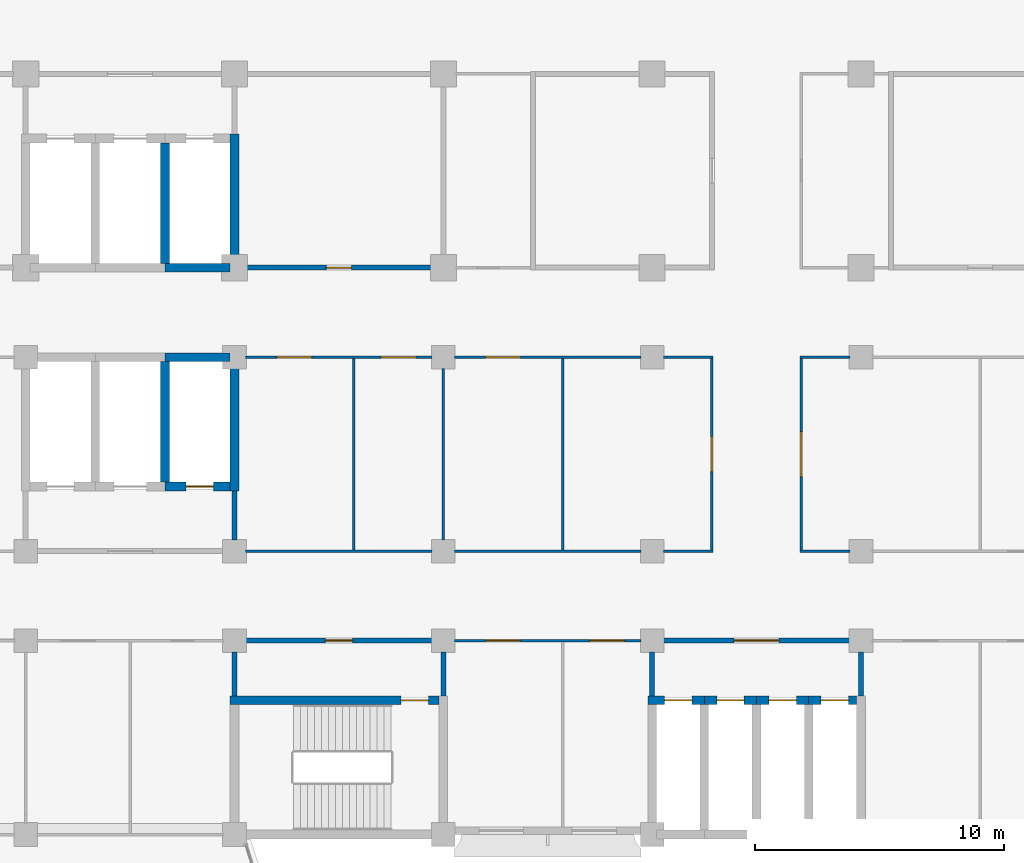
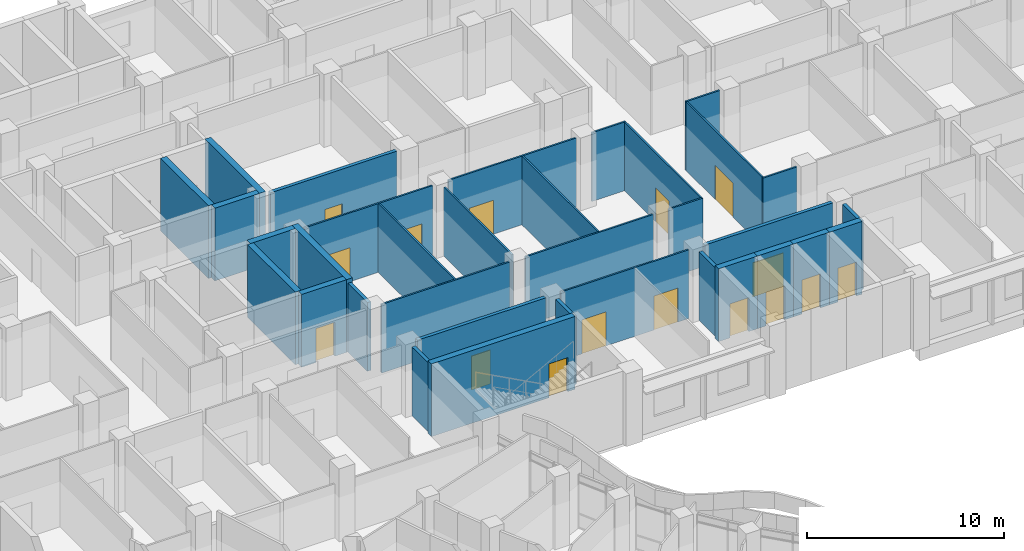
# One storey, part 72 of 136: 34 walls, 16 doors, 16 openings.
"""IFC4 building model written with IfcOpenShell, lengths in metres."""

from ifc_helpers import new_model, si_unit, direction, frame, frame_2d, origin, place, context, subcontext, project, spatial, rectangle, extrude, material, layer, layer_set, type_object, element, fill, save


model = new_model("IFC4")

# Units and contexts
model_context = context("Model", 3, precision=1e-05, world=origin(), true_north=direction((0.0, 1.0)))
body_context = subcontext(model_context, "Body", "Model", "MODEL_VIEW")
ifc_project = project(units=[si_unit("LENGTHUNIT", "METRE"), si_unit("AREAUNIT", "SQUARE_METRE"), si_unit("VOLUMEUNIT", "CUBIC_METRE"), si_unit("PLANEANGLEUNIT", "RADIAN"), si_unit("MASSUNIT", "GRAM", prefix="KILO")], contexts=[model_context])

# Site, building, storey
site_placement = place(None, origin())
site = spatial("IfcSite", under=ifc_project, at=site_placement, CompositionType="ELEMENT")
building_placement = place(site_placement, origin())
building = spatial("IfcBuilding", under=site, at=building_placement, Name="Bougainvillea Quay General Hospital", CompositionType="ELEMENT")
storey_placement = place(building_placement, frame((0.0, 0.0, 5.39990234375)))
storey = spatial("IfcBuildingStorey", under=building, at=storey_placement, Name="L01", CompositionType="ELEMENT", Elevation=5.39990234375)

# Wall
ifc_material_1 = material(Name="Gypsum board partition on steel studs", Category="steel")
ifc_layer_1 = layer(ifc_material_1, 0.10009765625)
ifc_layer_set_1 = layer_set([ifc_layer_1], Name="Gypsum board partition on steel studs")
wall_type_1 = type_object("IfcWallType", Name="Partition 100 Gypsum board partition", PredefinedType="PARTITIONING", material=ifc_layer_set_1)
wall_1_placement = place(storey_placement, frame((94.85009765625, 136.800048828125, 0.0), z_axis=(0.0, 0.0, 1.0), x_axis=(-1.0, 0.0, 0.0)))
element("IfcWall", 1, at=wall_1_placement, inside=storey, type_object=wall_type_1, Name="Partition 100 mm", PredefinedType="PARTITIONING", context=body_context, shape_type="SweptSolid", body=[
    extrude(rectangle(XDim=2.0, YDim=0.10009765625, at=frame_2d((1.0, 0.0))), origin(), (0.0, 0.0, 1.0), 4.25),
])

# Wall, opening, door
wall_2_placement = place(storey_placement, frame((91.949951171875, 136.800048828125, 0.0), z_axis=(0.0, 0.0, 1.0), x_axis=(-1.0, 0.0, 0.0)))
wall_2 = element("IfcWall", 2, at=wall_2_placement, inside=storey, type_object=wall_type_1, Name="Partition 100 mm", PredefinedType="PARTITIONING", context=body_context, shape_type="SweptSolid", body=[
    extrude(rectangle(XDim=7.5, YDim=0.10009765625, at=frame_2d((3.75, 0.0))), origin(), (0.0, 0.0, 1.0), 4.25),
])
opening_1_placement = place(wall_2_placement, frame((4.85009765625, 0.0, 0.0)))
opening_1 = element("IfcOpeningElement", 3, at=opening_1_placement, cuts=wall_2, Name="Opening L01.149", PredefinedType="OPENING", context=body_context, shape_type="SweptSolid", body=[
    extrude(rectangle(XDim=1.39990234375, YDim=2.10009765625, at=frame_2d((0.699951171875, 1.050048828125))), frame((0.0, 0.06005859375, 0.0), z_axis=(0.0, -1.0, 0.0), x_axis=(1.0, 0.0, 0.0)), (0.0, 0.0, 1.0), 0.1201171875),
])
ifc_material_2 = material(Name="Solid-core timber door leaves in steel frame", Category="steel")
door_type_1 = type_object("IfcDoorType", Name="Bed door pair 1400x2100", OperationType="DOUBLE_DOOR_SINGLE_SWING", PredefinedType="DOOR", material=ifc_material_2)
door_1_placement = place(opening_1_placement, origin())
door_1 = element("IfcDoor", 4, at=door_1_placement, inside=storey, type_object=door_type_1, Name="DT09 L01.149", OperationType="DOUBLE_DOOR_SINGLE_SWING", OverallHeight=2.10009765625, OverallWidth=1.39990234375, PredefinedType="DOOR", context=body_context, shape_type="SweptSolid", body=[
    extrude(rectangle(XDim=1.39990234375, YDim=2.10009765625, at=frame_2d((0.699951171875, 1.050048828125))), frame((0.0, 0.02490234375, 0.0), z_axis=(0.0, -1.0, 0.0), x_axis=(1.0, 0.0, 0.0)), (0.0, 0.0, 1.0), 0.050048828125),
])
fill(opening_1, door_1)

# Wall, openings, doors
wall_3_placement = place(storey_placement, frame((83.550048828125, 136.800048828125, 0.0), z_axis=(0.0, 0.0, 1.0), x_axis=(-1.0, 0.0, 0.0)))
wall_3 = element("IfcWall", 5, at=wall_3_placement, inside=storey, type_object=wall_type_1, Name="Partition 100 mm", PredefinedType="PARTITIONING", context=body_context, shape_type="SweptSolid", body=[
    extrude(rectangle(XDim=7.5, YDim=0.10009765625, at=frame_2d((3.75, 0.0))), origin(), (0.0, 0.0, 1.0), 4.25),
])
opening_2_placement = place(wall_3_placement, frame((4.85009765625, 0.0, 0.0)))
opening_2 = element("IfcOpeningElement", 6, at=opening_2_placement, cuts=wall_3, Name="Opening L01.147", PredefinedType="OPENING", context=body_context, shape_type="SweptSolid", body=[
    extrude(rectangle(XDim=1.39990234375, YDim=2.10009765625, at=frame_2d((0.699951171875, 1.050048828125))), frame((0.0, 0.06005859375, 0.0), z_axis=(0.0, -1.0, 0.0), x_axis=(1.0, 0.0, 0.0)), (0.0, 0.0, 1.0), 0.1201171875),
])
opening_3_placement = place(wall_3_placement, frame((0.64990234375, 0.0, 0.0)))
opening_3 = element("IfcOpeningElement", 7, at=opening_3_placement, cuts=wall_3, Name="Opening L01.148", PredefinedType="OPENING", context=body_context, shape_type="SweptSolid", body=[
    extrude(rectangle(XDim=1.39990234375, YDim=2.10009765625, at=frame_2d((0.699951171875, 1.050048828125))), frame((0.0, 0.06005859375, 0.0), z_axis=(0.0, -1.0, 0.0), x_axis=(1.0, 0.0, 0.0)), (0.0, 0.0, 1.0), 0.1201171875),
])
door_2_placement = place(opening_2_placement, origin())
door_2 = element("IfcDoor", 8, at=door_2_placement, inside=storey, type_object=door_type_1, Name="DT09 L01.147", OperationType="DOUBLE_DOOR_SINGLE_SWING", OverallHeight=2.10009765625, OverallWidth=1.39990234375, PredefinedType="DOOR", context=body_context, shape_type="SweptSolid", body=[
    extrude(rectangle(XDim=1.39990234375, YDim=2.10009765625, at=frame_2d((0.699951171875, 1.050048828125))), frame((0.0, 0.02490234375, 0.0), z_axis=(0.0, -1.0, 0.0), x_axis=(1.0, 0.0, 0.0)), (0.0, 0.0, 1.0), 0.050048828125),
])
fill(opening_2, door_2)
door_3_placement = place(opening_3_placement, origin())
door_3 = element("IfcDoor", 9, at=door_3_placement, inside=storey, type_object=door_type_1, Name="DT09 L01.148", OperationType="DOUBLE_DOOR_SINGLE_SWING", OverallHeight=2.10009765625, OverallWidth=1.39990234375, PredefinedType="DOOR", context=body_context, shape_type="SweptSolid", body=[
    extrude(rectangle(XDim=1.39990234375, YDim=2.10009765625, at=frame_2d((0.699951171875, 1.050048828125))), frame((0.0, 0.02490234375, 0.0), z_axis=(0.0, -1.0, 0.0), x_axis=(1.0, 0.0, 0.0)), (0.0, 0.0, 1.0), 0.050048828125),
])
fill(opening_3, door_3)

# Walls
for number, where, z_axis, x_axis, name in (
    (10, (100.35009765625, 129.0, 0.0), (0.0, 0.0, 1.0), (-1.0, 0.0, 0.0), "Partition 100 mm"),
    (11, (100.35009765625, 136.800048828125, 0.0), (0.0, 0.0, 1.0), (-1.0, 0.0, 0.0), "Partition 100 mm"),
    (12, (94.85009765625, 129.0, 0.0), (0.0, 0.0, 1.0), (-1.0, 0.0, 0.0), "Partition 100 mm"),
):
    element("IfcWall", number, at=place(storey_placement, frame(where, z_axis=z_axis, x_axis=x_axis)), inside=storey, type_object=wall_type_1, Name=name, PredefinedType="PARTITIONING", context=body_context, shape_type="SweptSolid", body=[
        extrude(rectangle(XDim=2.0, YDim=0.10009765625, at=frame_2d((1.0, 0.0))), origin(), (0.0, 0.0, 1.0), 4.25),
    ])
for number, where, z_axis, x_axis, name in (
    (13, (91.949951171875, 129.0, 0.0), (0.0, 0.0, 1.0), (-1.0, 0.0, 0.0), "Partition 100 mm"),
    (14, (83.550048828125, 129.0, 0.0), (0.0, 0.0, 1.0), (-1.0, 0.0, 0.0), "Partition 100 mm"),
):
    element("IfcWall", number, at=place(storey_placement, frame(where, z_axis=z_axis, x_axis=x_axis)), inside=storey, type_object=wall_type_1, Name=name, PredefinedType="PARTITIONING", context=body_context, shape_type="SweptSolid", body=[
        extrude(rectangle(XDim=7.5, YDim=0.10009765625, at=frame_2d((3.75, 0.0))), origin(), (0.0, 0.0, 1.0), 4.25),
    ])

# Wall, openings, doors
wall_4_placement = place(storey_placement, frame((91.949951171875, 125.39990234375, 0.0), z_axis=(0.0, 0.0, 1.0), x_axis=(-1.0, 0.0, 0.0)))
wall_4 = element("IfcWall", 15, at=wall_4_placement, inside=storey, type_object=wall_type_1, Name="Partition 100 mm", PredefinedType="PARTITIONING", context=body_context, shape_type="SweptSolid", body=[
    extrude(rectangle(XDim=7.5, YDim=0.10009765625, at=frame_2d((3.75, 0.0))), origin(), (0.0, 0.0, 1.0), 4.25),
])
opening_4_placement = place(wall_4_placement, frame((4.85107421875, 0.0, 0.0)))
opening_4 = element("IfcOpeningElement", 16, at=opening_4_placement, cuts=wall_4, Name="Opening L01.141", PredefinedType="OPENING", context=body_context, shape_type="SweptSolid", body=[
    extrude(rectangle(XDim=1.39990234375, YDim=2.10009765625, at=frame_2d((0.699951171875, 1.050048828125))), frame((0.0, 0.06005859375, 0.0), z_axis=(0.0, -1.0, 0.0), x_axis=(1.0, 0.0, 0.0)), (0.0, 0.0, 1.0), 0.1201171875),
])
opening_5_placement = place(wall_4_placement, frame((0.652099609375, 0.0, 0.0)))
opening_5 = element("IfcOpeningElement", 17, at=opening_5_placement, cuts=wall_4, Name="Opening L01.142", PredefinedType="OPENING", context=body_context, shape_type="SweptSolid", body=[
    extrude(rectangle(XDim=1.39990234375, YDim=2.10009765625, at=frame_2d((0.699951171875, 1.050048828125))), frame((0.0, 0.06005859375, 0.0), z_axis=(0.0, -1.0, 0.0), x_axis=(1.0, 0.0, 0.0)), (0.0, 0.0, 1.0), 0.1201171875),
])
door_4_placement = place(opening_4_placement, origin())
door_4 = element("IfcDoor", 18, at=door_4_placement, inside=storey, type_object=door_type_1, Name="DT09 L01.141", OperationType="DOUBLE_DOOR_SINGLE_SWING", OverallHeight=2.10009765625, OverallWidth=1.39990234375, PredefinedType="DOOR", context=body_context, shape_type="SweptSolid", body=[
    extrude(rectangle(XDim=1.39990234375, YDim=2.10009765625, at=frame_2d((0.699951171875, 1.050048828125))), frame((0.0, 0.02490234375, 0.0), z_axis=(0.0, -1.0, 0.0), x_axis=(1.0, 0.0, 0.0)), (0.0, 0.0, 1.0), 0.050048828125),
])
fill(opening_4, door_4)
door_5_placement = place(opening_5_placement, origin())
door_5 = element("IfcDoor", 19, at=door_5_placement, inside=storey, type_object=door_type_1, Name="DT09 L01.142", OperationType="DOUBLE_DOOR_SINGLE_SWING", OverallHeight=2.10009765625, OverallWidth=1.39990234375, PredefinedType="DOOR", context=body_context, shape_type="SweptSolid", body=[
    extrude(rectangle(XDim=1.39990234375, YDim=2.10009765625, at=frame_2d((0.699951171875, 1.050048828125))), frame((0.0, 0.02490234375, 0.0), z_axis=(0.0, -1.0, 0.0), x_axis=(1.0, 0.0, 0.0)), (0.0, 0.0, 1.0), 0.050048828125),
])
fill(opening_5, door_5)

# Walls
wall_5_placement = place(storey_placement, frame((80.39990234375, 129.050048828125, 0.0), z_axis=(0.0, 0.0, 1.0), x_axis=(0.0, 1.0, 0.0)))
element("IfcWall", 20, at=wall_5_placement, inside=storey, type_object=wall_type_1, Name="Partition 100 mm", PredefinedType="PARTITIONING", context=body_context, shape_type="SweptSolid", body=[
    extrude(rectangle(XDim=7.699951171875, YDim=0.10009765625, at=frame_2d((3.85009765625, 0.0))), origin(), (0.0, 0.0, 1.0), 4.25),
])
wall_6_placement = place(storey_placement, frame((84.0, 129.449951171875, 0.0), z_axis=(0.0, 0.0, 1.0), x_axis=(0.0, 1.0, 0.0)))
element("IfcWall", 21, at=wall_6_placement, inside=storey, type_object=wall_type_1, Name="Partition 100 mm", PredefinedType="PARTITIONING", context=body_context, shape_type="SweptSolid", body=[
    extrude(rectangle(XDim=6.900146484375, YDim=0.10009765625, at=frame_2d((3.4501953125, 0.0))), origin(), (0.0, 0.0, 1.0), 4.25),
])
wall_7_placement = place(storey_placement, frame((88.800048828125, 129.050048828125, 0.0), z_axis=(0.0, 0.0, 1.0), x_axis=(0.0, 1.0, 0.0)))
element("IfcWall", 22, at=wall_7_placement, inside=storey, type_object=wall_type_1, Name="Partition 100 mm", PredefinedType="PARTITIONING", context=body_context, shape_type="SweptSolid", body=[
    extrude(rectangle(XDim=7.699951171875, YDim=0.10009765625, at=frame_2d((3.85009765625, 0.0))), origin(), (0.0, 0.0, 1.0), 4.25),
])

# Wall, opening, door
wall_8_placement = place(storey_placement, frame((94.800048828125, 129.050048828125, 0.0), z_axis=(0.0, 0.0, 1.0), x_axis=(0.0, 1.0, 0.0)))
wall_8 = element("IfcWall", 23, at=wall_8_placement, inside=storey, type_object=wall_type_1, Name="Partition 100 mm", PredefinedType="PARTITIONING", context=body_context, shape_type="SweptSolid", body=[
    extrude(rectangle(XDim=7.699951171875, YDim=0.10009765625, at=frame_2d((3.85009765625, 0.0))), origin(), (0.0, 0.0, 1.0), 4.25),
])
opening_6_placement = place(wall_8_placement, frame((3.14990234375, 0.0, 0.0)))
opening_6 = element("IfcOpeningElement", 24, at=opening_6_placement, cuts=wall_8, Name="Opening L01.150", PredefinedType="OPENING", context=body_context, shape_type="SweptSolid", body=[
    extrude(rectangle(XDim=1.39990234375, YDim=2.10009765625, at=frame_2d((0.699951171875, 1.050048828125))), frame((0.0, 0.06005859375, 0.0), z_axis=(0.0, -1.0, 0.0), x_axis=(1.0, 0.0, 0.0)), (0.0, 0.0, 1.0), 0.1201171875),
])
door_6_placement = place(opening_6_placement, origin())
door_6 = element("IfcDoor", 25, at=door_6_placement, inside=storey, type_object=door_type_1, Name="DT09 L01.150", OperationType="DOUBLE_DOOR_SINGLE_SWING", OverallHeight=2.10009765625, OverallWidth=1.39990234375, PredefinedType="DOOR", context=body_context, shape_type="SweptSolid", body=[
    extrude(rectangle(XDim=1.39990234375, YDim=2.10009765625, at=frame_2d((0.699951171875, 1.050048828125))), frame((0.0, 0.02490234375, 0.0), z_axis=(0.0, -1.0, 0.0), x_axis=(1.0, 0.0, 0.0)), (0.0, 0.0, 1.0), 0.050048828125),
])
fill(opening_6, door_6)

wall_9_placement = place(storey_placement, frame((98.39990234375, 129.050048828125, 0.0), z_axis=(0.0, 0.0, 1.0), x_axis=(0.0, 1.0, 0.0)))
wall_9 = element("IfcWall", 26, at=wall_9_placement, inside=storey, type_object=wall_type_1, Name="Partition 100 mm", PredefinedType="PARTITIONING", context=body_context, shape_type="SweptSolid", body=[
    extrude(rectangle(XDim=7.699951171875, YDim=0.10009765625, at=frame_2d((3.85009765625, 0.0))), origin(), (0.0, 0.0, 1.0), 4.25),
])
opening_7_placement = place(wall_9_placement, frame((2.949951171875, 0.0, 0.0)))
opening_7 = element("IfcOpeningElement", 27, at=opening_7_placement, cuts=wall_9, Name="Opening L01.151", PredefinedType="OPENING", context=body_context, shape_type="SweptSolid", body=[
    extrude(rectangle(XDim=1.800048828125, YDim=2.10009765625, at=frame_2d((0.89990234375, 1.050048828125))), frame((0.0, 0.06005859375, 0.0), z_axis=(0.0, -1.0, 0.0), x_axis=(1.0, 0.0, 0.0)), (0.0, 0.0, 1.0), 0.1201171875),
])
door_type_2 = type_object("IfcDoorType", Name="Double leaf door 1800x2100", OperationType="DOUBLE_DOOR_SINGLE_SWING", PredefinedType="DOOR", material=ifc_material_2)
door_7_placement = place(opening_7_placement, frame((1.800048828125, 0.0, 0.0), z_axis=(0.0, 0.0, 1.0), x_axis=(-1.0, 0.0, 0.0)))
door_7 = element("IfcDoor", 28, at=door_7_placement, inside=storey, type_object=door_type_2, Name="DT08 L01.151", OperationType="DOUBLE_DOOR_SINGLE_SWING", OverallHeight=2.10009765625, OverallWidth=1.800048828125, PredefinedType="DOOR", context=body_context, shape_type="SweptSolid", body=[
    extrude(rectangle(XDim=1.800048828125, YDim=2.10009765625, at=frame_2d((0.89990234375, 1.050048828125))), frame((0.0, 0.02490234375, 0.0), z_axis=(0.0, -1.0, 0.0), x_axis=(1.0, 0.0, 0.0)), (0.0, 0.0, 1.0), 0.050048828125),
])
fill(opening_7, door_7)

ifc_material_3 = material(Name="Fire-rated autoclaved aerated block wall, plastered")
ifc_layer_2 = layer(ifc_material_3, 0.199951171875)
ifc_layer_set_2 = layer_set([ifc_layer_2], Name="Fire-rated autoclaved aerated block wall, plastered")
wall_type_2 = type_object("IfcWallType", Name="Partition 200 Fire-rated autoclaved aerated block wall EI 120", PredefinedType="SOLIDWALL", material=ifc_layer_set_2)
wall_10_placement = place(storey_placement, frame((76.050048828125, 125.39990234375, 0.0), z_axis=(0.0, 0.0, 1.0), x_axis=(1.0, 0.0, 0.0)))
wall_10 = element("IfcWall", 29, at=wall_10_placement, inside=storey, type_object=wall_type_2, Name="Partition 200 mm EI 120", PredefinedType="SOLIDWALL", context=body_context, shape_type="SweptSolid", body=[
    extrude(rectangle(XDim=7.5, YDim=0.199951171875, at=frame_2d((3.75, 0.0))), origin(), (0.0, 0.0, 1.0), 4.25),
])
opening_8_placement = place(wall_10_placement, frame((3.199951171875, 0.0, 0.0)))
opening_8 = element("IfcOpeningElement", 30, at=opening_8_placement, cuts=wall_10, Name="Opening L01.040", PredefinedType="OPENING", context=body_context, shape_type="SweptSolid", body=[
    extrude(rectangle(XDim=1.10009765625, YDim=2.10009765625, at=frame_2d((0.550048828125, 1.050048828125))), frame((0.0, 0.10986328125, 0.0), z_axis=(0.0, -1.0, 0.0), x_axis=(1.0, 0.0, 0.0)), (0.0, 0.0, 1.0), 0.219970703125),
])
ifc_material_4 = material(Name="Steel fire door leaf in steel frame", Category="steel")
door_type_3 = type_object("IfcDoorType", Name="Steel single leaf door 1100x2100 FD60", OperationType="NOTDEFINED", PredefinedType="DOOR", material=ifc_material_4)
door_8_placement = place(opening_8_placement, frame((1.10009765625, 0.0, 0.0), z_axis=(0.0, 0.0, 1.0), x_axis=(-1.0, 0.0, 0.0)))
door_8 = element("IfcDoor", 31, at=door_8_placement, inside=storey, type_object=door_type_3, Name="DT04 L01.040", OperationType="SINGLE_SWING_LEFT", OverallHeight=2.10009765625, OverallWidth=1.10009765625, PredefinedType="DOOR", context=body_context, shape_type="SweptSolid", body=[
    extrude(rectangle(XDim=1.10009765625, YDim=2.10009765625, at=frame_2d((0.550048828125, 1.050048828125))), frame((0.0, 0.02490234375, 0.0), z_axis=(0.0, -1.0, 0.0), x_axis=(1.0, 0.0, 0.0)), (0.0, 0.0, 1.0), 0.050048828125),
])
fill(opening_8, door_8)

wall_11_placement = place(storey_placement, frame((92.85009765625, 125.39990234375, 0.0), z_axis=(0.0, 0.0, 1.0), x_axis=(1.0, 0.0, 0.0)))
wall_11 = element("IfcWall", 32, at=wall_11_placement, inside=storey, type_object=wall_type_2, Name="Partition 200 mm EI 120", PredefinedType="SOLIDWALL", context=body_context, shape_type="SweptSolid", body=[
    extrude(rectangle(XDim=7.5, YDim=0.199951171875, at=frame_2d((3.75, 0.0))), origin(), (0.0, 0.0, 1.0), 4.25),
])
opening_9_placement = place(wall_11_placement, frame((2.85009765625, 0.0, 0.0)))
opening_9 = element("IfcOpeningElement", 33, at=opening_9_placement, cuts=wall_11, Name="Opening L01.052", PredefinedType="OPENING", context=body_context, shape_type="SweptSolid", body=[
    extrude(rectangle(XDim=1.800048828125, YDim=2.10009765625, at=frame_2d((0.89990234375, 1.050048828125))), frame((0.0, 0.10986328125, 0.0), z_axis=(0.0, -1.0, 0.0), x_axis=(1.0, 0.0, 0.0)), (0.0, 0.0, 1.0), 0.219970703125),
])
ifc_material_5 = material(Name="Steel fire door leaves in steel frame", Category="steel")
door_type_4 = type_object("IfcDoorType", Name="Steel double leaf door 1800x2100 FD60", OperationType="DOUBLE_DOOR_SINGLE_SWING", PredefinedType="DOOR", material=ifc_material_5)
door_9_placement = place(opening_9_placement, frame((1.800048828125, 0.0, 0.0), z_axis=(0.0, 0.0, 1.0), x_axis=(-1.0, 0.0, 0.0)))
door_9 = element("IfcDoor", 34, at=door_9_placement, inside=storey, type_object=door_type_4, Name="DT05 L01.052", OperationType="DOUBLE_DOOR_SINGLE_SWING", OverallHeight=2.10009765625, OverallWidth=1.800048828125, PredefinedType="DOOR", context=body_context, shape_type="SweptSolid", body=[
    extrude(rectangle(XDim=1.800048828125, YDim=2.10009765625, at=frame_2d((0.89990234375, 1.050048828125))), frame((0.0, 0.02490234375, 0.0), z_axis=(0.0, -1.0, 0.0), x_axis=(1.0, 0.0, 0.0)), (0.0, 0.0, 1.0), 0.050048828125),
])
fill(opening_9, door_9)

# Walls
wall_12_placement = place(storey_placement, frame((75.60009765625, 129.449951171875, 0.0), z_axis=(0.0, 0.0, 1.0), x_axis=(0.0, 1.0, 0.0)))
element("IfcWall", 35, at=wall_12_placement, inside=storey, type_object=wall_type_2, Name="Partition 200 mm EI 120", PredefinedType="SOLIDWALL", context=body_context, shape_type="SweptSolid", body=[
    extrude(rectangle(XDim=1.97509765625, YDim=0.199951171875, at=frame_2d((0.987548828125, 0.0))), origin(), (0.0, 0.0, 1.0), 4.25),
])
for number, where, z_axis, x_axis, name in (
    (36, (75.60009765625, 123.175048828125, 0.0), (0.0, 0.0, 1.0), (0.0, 1.0, 0.0), "Partition 200 mm EI 120"),
    (37, (84.0, 123.175048828125, 0.0), (0.0, 0.0, 1.0), (0.0, 1.0, 0.0), "Partition 200 mm EI 120"),
    (38, (92.39990234375, 123.175048828125, 0.0), (0.0, 0.0, 1.0), (0.0, 1.0, 0.0), "Partition 200 mm EI 120"),
    (39, (100.800048828125, 123.175048828125, 0.0), (0.0, 0.0, 1.0), (0.0, 1.0, 0.0), "Partition 200 mm EI 120"),
):
    element("IfcWall", number, at=place(storey_placement, frame(where, z_axis=z_axis, x_axis=x_axis)), inside=storey, type_object=wall_type_2, Name=name, PredefinedType="SOLIDWALL", context=body_context, shape_type="SweptSolid", body=[
        extrude(rectangle(XDim=1.77490234375, YDim=0.199951171875, at=frame_2d((0.887451171875, 0.0))), origin(), (0.0, 0.0, 1.0), 4.25),
    ])

# Wall, opening, door
ifc_layer_3 = layer(ifc_material_3, 0.199951171875)
ifc_layer_set_3 = layer_set([ifc_layer_3], Name="Fire-rated autoclaved aerated block wall, plastered")
wall_type_3 = type_object("IfcWallType", Name="Partition 200 Fire-rated autoclaved aerated block wall EI 60", PredefinedType="SOLIDWALL", material=ifc_layer_set_3)
wall_13_placement = place(storey_placement, frame((76.10009765625, 140.39990234375, 0.0), z_axis=(0.0, 0.0, 1.0), x_axis=(1.0, 0.0, 0.0)))
wall_13 = element("IfcWall", 40, at=wall_13_placement, inside=storey, type_object=wall_type_3, Name="Partition 200 mm EI 60", PredefinedType="SOLIDWALL", context=body_context, shape_type="SweptSolid", body=[
    extrude(rectangle(XDim=7.39990234375, YDim=0.199951171875, at=frame_2d((3.699951171875, 0.0))), origin(), (0.0, 0.0, 1.0), 4.25),
])
opening_10_placement = place(wall_13_placement, frame((3.199951171875, 0.0, 0.0)))
opening_10 = element("IfcOpeningElement", 41, at=opening_10_placement, cuts=wall_13, Name="Opening L01.188", PredefinedType="OPENING", context=body_context, shape_type="SweptSolid", body=[
    extrude(rectangle(XDim=1.0, YDim=2.10009765625, at=frame_2d((0.5, 1.050048828125))), frame((0.0, 0.10986328125, 0.0), z_axis=(0.0, -1.0, 0.0), x_axis=(1.0, 0.0, 0.0)), (0.0, 0.0, 1.0), 0.219970703125),
])
door_type_5 = type_object("IfcDoorType", Name="Steel single leaf door 1000x2100 FD60", OperationType="NOTDEFINED", PredefinedType="DOOR", material=ifc_material_4)
door_10_placement = place(opening_10_placement, origin())
door_10 = element("IfcDoor", 42, at=door_10_placement, inside=storey, type_object=door_type_5, Name="DT10 L01.188", OperationType="SINGLE_SWING_LEFT", OverallHeight=2.10009765625, OverallWidth=1.0, PredefinedType="DOOR", context=body_context, shape_type="SweptSolid", body=[
    extrude(rectangle(XDim=1.0, YDim=2.10009765625, at=frame_2d((0.5, 1.050048828125))), frame((0.0, 0.02490234375, 0.0), z_axis=(0.0, -1.0, 0.0), x_axis=(1.0, 0.0, 0.0)), (0.0, 0.0, 1.0), 0.050048828125),
])
fill(opening_10, door_10)

ifc_material_6 = material(Name="Concrete C40", Category="concrete")
ifc_layer_4 = layer(ifc_material_6, 0.35009765625)
ifc_layer_set_4 = layer_set([ifc_layer_4], Name="Concrete C40")
wall_type_4 = type_object("IfcWallType", Name="RC SHEAR WALL 350 C40", PredefinedType="SHEAR", material=ifc_layer_set_4)
wall_14_placement = place(storey_placement, frame((72.800048828125, 131.60009765625, 0.0), z_axis=(0.0, 0.0, 1.0), x_axis=(1.0, 0.0, 0.0)))
wall_14 = element("IfcWall", 43, at=wall_14_placement, inside=storey, type_object=wall_type_4, Name="Shear wall L01", PredefinedType="SHEAR", context=body_context, shape_type="SweptSolid", body=[
    extrude(rectangle(XDim=2.625, YDim=0.35009765625, at=frame_2d((1.3125, 0.0))), origin(), (0.0, 0.0, 1.0), 4.5),
])
opening_11_placement = place(wall_14_placement, frame((0.85009765625, 0.0, 0.0)))
opening_11 = element("IfcOpeningElement", 44, at=opening_11_placement, cuts=wall_14, Name="Opening LD-B1.3-L01", PredefinedType="OPENING", context=body_context, shape_type="SweptSolid", body=[
    extrude(rectangle(XDim=1.10009765625, YDim=2.10009765625, at=frame_2d((0.550048828125, 1.050048828125))), frame((0.0, 0.18505859375, 0.0), z_axis=(0.0, -1.0, 0.0), x_axis=(1.0, 0.0, 0.0)), (0.0, 0.0, 1.0), 0.3701171875),
])
ifc_material_7 = material(Name="Stainless steel centre-opening landing door", Category="steel")
door_type_6 = type_object("IfcDoorType", Name="Lift landing door 1100x2100 E 120", OperationType="DOUBLE_DOOR_SLIDING", PredefinedType="DOOR", material=ifc_material_7)
door_11_placement = place(opening_11_placement, origin())
door_11 = element("IfcDoor", 45, at=door_11_placement, inside=storey, type_object=door_type_6, Name="Lift landing door LB-B1-3 L01", OperationType="DOUBLE_DOOR_SLIDING", OverallHeight=2.10009765625, OverallWidth=1.10009765625, PredefinedType="DOOR", context=body_context, shape_type="SweptSolid", body=[
    extrude(rectangle(XDim=1.10009765625, YDim=2.10009765625, at=frame_2d((0.550048828125, 1.050048828125))), frame((0.0, 0.02490234375, 0.0), z_axis=(0.0, -1.0, 0.0), x_axis=(1.0, 0.0, 0.0)), (0.0, 0.0, 1.0), 0.050048828125),
])
fill(opening_11, door_11)

# Walls
wall_15_placement = place(storey_placement, frame((72.800048828125, 131.77490234375, 0.0), z_axis=(0.0, 0.0, 1.0), x_axis=(0.0, 1.0, 0.0)))
element("IfcWall", 46, at=wall_15_placement, inside=storey, type_object=wall_type_4, Name="Shear wall L01", PredefinedType="SHEAR", context=body_context, shape_type="SweptSolid", body=[
    extrude(rectangle(XDim=4.85009765625, YDim=0.35009765625, at=frame_2d((2.425048828125, 0.0))), origin(), (0.0, 0.0, 1.0), 4.5),
])
for number, where, z_axis, x_axis, name in (
    (47, (72.800048828125, 136.800048828125, 0.0), (0.0, 0.0, 1.0), (1.0, 0.0, 0.0), "Shear wall L01"),
    (48, (72.800048828125, 140.39990234375, 0.0), (0.0, 0.0, 1.0), (1.0, 0.0, 0.0), "Shear wall L01"),
):
    element("IfcWall", number, at=place(storey_placement, frame(where, z_axis=z_axis, x_axis=x_axis)), inside=storey, type_object=wall_type_4, Name=name, PredefinedType="SHEAR", context=body_context, shape_type="SweptSolid", body=[
        extrude(rectangle(XDim=2.625, YDim=0.35009765625, at=frame_2d((1.3125, 0.0))), origin(), (0.0, 0.0, 1.0), 4.5),
    ])
wall_16_placement = place(storey_placement, frame((72.800048828125, 140.574951171875, 0.0), z_axis=(0.0, 0.0, 1.0), x_axis=(0.0, 1.0, 0.0)))
element("IfcWall", 49, at=wall_16_placement, inside=storey, type_object=wall_type_4, Name="Shear wall L01", PredefinedType="SHEAR", context=body_context, shape_type="SweptSolid", body=[
    extrude(rectangle(XDim=4.85009765625, YDim=0.35009765625, at=frame_2d((2.425048828125, 0.0))), origin(), (0.0, 0.0, 1.0), 4.5),
])

# Wall, opening, door
wall_17_placement = place(storey_placement, frame((75.425048828125, 123.0, 0.0), z_axis=(0.0, 0.0, 1.0), x_axis=(1.0, 0.0, 0.0)))
wall_17 = element("IfcWall", 50, at=wall_17_placement, inside=storey, type_object=wall_type_4, Name="Shear wall L01", PredefinedType="SHEAR", context=body_context, shape_type="SweptSolid", body=[
    extrude(rectangle(XDim=8.39990234375, YDim=0.35009765625, at=frame_2d((4.199951171875, 0.0))), origin(), (0.0, 0.0, 1.0), 4.5),
])
opening_12_placement = place(wall_17_placement, frame((6.875, 0.0, 0.0)))
opening_12 = element("IfcOpeningElement", 51, at=opening_12_placement, cuts=wall_17, Name="Opening L01.024", PredefinedType="OPENING", context=body_context, shape_type="SweptSolid", body=[
    extrude(rectangle(XDim=1.10009765625, YDim=2.10009765625, at=frame_2d((0.550048828125, 1.050048828125))), frame((0.0, 0.18505859375, 0.0), z_axis=(0.0, -1.0, 0.0), x_axis=(1.0, 0.0, 0.0)), (0.0, 0.0, 1.0), 0.3701171875),
])
door_12_placement = place(opening_12_placement, frame((1.10009765625, 0.0, 0.0), z_axis=(0.0, 0.0, 1.0), x_axis=(-1.0, 0.0, 0.0)))
door_12 = element("IfcDoor", 52, at=door_12_placement, inside=storey, type_object=door_type_3, Name="DT04 L01.024", OperationType="SINGLE_SWING_LEFT", OverallHeight=2.10009765625, OverallWidth=1.10009765625, PredefinedType="DOOR", context=body_context, shape_type="SweptSolid", body=[
    extrude(rectangle(XDim=1.10009765625, YDim=2.10009765625, at=frame_2d((0.550048828125, 1.050048828125))), frame((0.0, 0.02490234375, 0.0), z_axis=(0.0, -1.0, 0.0), x_axis=(1.0, 0.0, 0.0)), (0.0, 0.0, 1.0), 0.050048828125),
])
fill(opening_12, door_12)

# Walls
wall_18_placement = place(storey_placement, frame((75.60009765625, 131.425048828125, 0.0), z_axis=(0.0, 0.0, 1.0), x_axis=(0.0, 1.0, 0.0)))
element("IfcWall", 53, at=wall_18_placement, inside=storey, type_object=wall_type_4, Name="Shear wall L01", PredefinedType="SHEAR", context=body_context, shape_type="SweptSolid", body=[
    extrude(rectangle(XDim=5.550048828125, YDim=0.35009765625, at=frame_2d((2.77490234375, 0.0))), origin(), (0.0, 0.0, 1.0), 4.5),
])
wall_19_placement = place(storey_placement, frame((75.60009765625, 140.22509765625, 0.0), z_axis=(0.0, 0.0, 1.0), x_axis=(0.0, 1.0, 0.0)))
element("IfcWall", 54, at=wall_19_placement, inside=storey, type_object=wall_type_4, Name="Shear wall L01", PredefinedType="SHEAR", context=body_context, shape_type="SweptSolid", body=[
    extrude(rectangle(XDim=5.5498046875, YDim=0.35009765625, at=frame_2d((2.77490234375, 0.0))), origin(), (0.0, 0.0, 1.0), 4.5),
])

# Wall, opening, door
wall_20_placement = place(storey_placement, frame((92.22509765625, 123.0, 0.0), z_axis=(0.0, 0.0, 1.0), x_axis=(1.0, 0.0, 0.0)))
wall_20 = element("IfcWall", 55, at=wall_20_placement, inside=storey, type_object=wall_type_4, Name="Shear wall L01", PredefinedType="SHEAR", context=body_context, shape_type="SweptSolid", body=[
    extrude(rectangle(XDim=2.27490234375, YDim=0.35009765625, at=frame_2d((1.137451171875, 0.0))), origin(), (0.0, 0.0, 1.0), 4.5),
])
opening_13_placement = place(wall_20_placement, frame((0.675048828125, 0.0, 0.0)))
opening_13 = element("IfcOpeningElement", 56, at=opening_13_placement, cuts=wall_20, Name="Opening LD-P1.1-L01", PredefinedType="OPENING", context=body_context, shape_type="SweptSolid", body=[
    extrude(rectangle(XDim=1.10009765625, YDim=2.10009765625, at=frame_2d((0.550048828125, 1.050048828125))), frame((0.0, 0.18505859375, 0.0), z_axis=(0.0, -1.0, 0.0), x_axis=(1.0, 0.0, 0.0)), (0.0, 0.0, 1.0), 0.3701171875),
])
door_13_placement = place(opening_13_placement, origin())
door_13 = element("IfcDoor", 57, at=door_13_placement, inside=storey, type_object=door_type_6, Name="Lift landing door LB-P1-1 L01", OperationType="DOUBLE_DOOR_SLIDING", OverallHeight=2.10009765625, OverallWidth=1.10009765625, PredefinedType="DOOR", context=body_context, shape_type="SweptSolid", body=[
    extrude(rectangle(XDim=1.10009765625, YDim=2.10009765625, at=frame_2d((0.550048828125, 1.050048828125))), frame((0.0, 0.02490234375, 0.0), z_axis=(0.0, -1.0, 0.0), x_axis=(1.0, 0.0, 0.0)), (0.0, 0.0, 1.0), 0.050048828125),
])
fill(opening_13, door_13)

wall_21_placement = place(storey_placement, frame((94.5, 123.0, 0.0), z_axis=(0.0, 0.0, 1.0), x_axis=(1.0, 0.0, 0.0)))
wall_21 = element("IfcWall", 58, at=wall_21_placement, inside=storey, type_object=wall_type_4, Name="Shear wall L01", PredefinedType="SHEAR", context=body_context, shape_type="SweptSolid", body=[
    extrude(rectangle(XDim=2.10009765625, YDim=0.35009765625, at=frame_2d((1.050048828125, 0.0))), origin(), (0.0, 0.0, 1.0), 4.5),
])
opening_14_placement = place(wall_21_placement, frame((0.5, 0.0, 0.0)))
opening_14 = element("IfcOpeningElement", 59, at=opening_14_placement, cuts=wall_21, Name="Opening LD-P1.2-L01", PredefinedType="OPENING", context=body_context, shape_type="SweptSolid", body=[
    extrude(rectangle(XDim=1.10009765625, YDim=2.10009765625, at=frame_2d((0.550048828125, 1.050048828125))), frame((0.0, 0.18505859375, 0.0), z_axis=(0.0, -1.0, 0.0), x_axis=(1.0, 0.0, 0.0)), (0.0, 0.0, 1.0), 0.3701171875),
])
door_14_placement = place(opening_14_placement, origin())
door_14 = element("IfcDoor", 60, at=door_14_placement, inside=storey, type_object=door_type_6, Name="Lift landing door LB-P1-2 L01", OperationType="DOUBLE_DOOR_SLIDING", OverallHeight=2.10009765625, OverallWidth=1.10009765625, PredefinedType="DOOR", context=body_context, shape_type="SweptSolid", body=[
    extrude(rectangle(XDim=1.10009765625, YDim=2.10009765625, at=frame_2d((0.550048828125, 1.050048828125))), frame((0.0, 0.02490234375, 0.0), z_axis=(0.0, -1.0, 0.0), x_axis=(1.0, 0.0, 0.0)), (0.0, 0.0, 1.0), 0.050048828125),
])
fill(opening_14, door_14)

wall_22_placement = place(storey_placement, frame((96.60009765625, 123.0, 0.0), z_axis=(0.0, 0.0, 1.0), x_axis=(1.0, 0.0, 0.0)))
wall_22 = element("IfcWall", 61, at=wall_22_placement, inside=storey, type_object=wall_type_4, Name="Shear wall L01", PredefinedType="SHEAR", context=body_context, shape_type="SweptSolid", body=[
    extrude(rectangle(XDim=2.099853515625, YDim=0.35009765625, at=frame_2d((1.0498046875, 0.0))), origin(), (0.0, 0.0, 1.0), 4.5),
])
opening_15_placement = place(wall_22_placement, frame((0.5, 0.0, 0.0)))
opening_15 = element("IfcOpeningElement", 62, at=opening_15_placement, cuts=wall_22, Name="Opening LD-P1.3-L01", PredefinedType="OPENING", context=body_context, shape_type="SweptSolid", body=[
    extrude(rectangle(XDim=1.10009765625, YDim=2.10009765625, at=frame_2d((0.550048828125, 1.050048828125))), frame((0.0, 0.18505859375, 0.0), z_axis=(0.0, -1.0, 0.0), x_axis=(1.0, 0.0, 0.0)), (0.0, 0.0, 1.0), 0.3701171875),
])
door_15_placement = place(opening_15_placement, origin())
door_15 = element("IfcDoor", 63, at=door_15_placement, inside=storey, type_object=door_type_6, Name="Lift landing door LB-P1-3 L01", OperationType="DOUBLE_DOOR_SLIDING", OverallHeight=2.10009765625, OverallWidth=1.10009765625, PredefinedType="DOOR", context=body_context, shape_type="SweptSolid", body=[
    extrude(rectangle(XDim=1.10009765625, YDim=2.10009765625, at=frame_2d((0.550048828125, 1.050048828125))), frame((0.0, 0.02490234375, 0.0), z_axis=(0.0, -1.0, 0.0), x_axis=(1.0, 0.0, 0.0)), (0.0, 0.0, 1.0), 0.050048828125),
])
fill(opening_15, door_15)

wall_23_placement = place(storey_placement, frame((98.699951171875, 123.0, 0.0), z_axis=(0.0, 0.0, 1.0), x_axis=(1.0, 0.0, 0.0)))
wall_23 = element("IfcWall", 64, at=wall_23_placement, inside=storey, type_object=wall_type_4, Name="Shear wall L01", PredefinedType="SHEAR", context=body_context, shape_type="SweptSolid", body=[
    extrude(rectangle(XDim=1.925048828125, YDim=0.35009765625, at=frame_2d((0.96240234375, 0.0))), origin(), (0.0, 0.0, 1.0), 4.5),
])
opening_16_placement = place(wall_23_placement, frame((0.5, 0.0, 0.0)))
opening_16 = element("IfcOpeningElement", 65, at=opening_16_placement, cuts=wall_23, Name="Opening LD-P1.4-L01", PredefinedType="OPENING", context=body_context, shape_type="SweptSolid", body=[
    extrude(rectangle(XDim=1.10009765625, YDim=2.10009765625, at=frame_2d((0.550048828125, 1.050048828125))), frame((0.0, 0.18505859375, 0.0), z_axis=(0.0, -1.0, 0.0), x_axis=(1.0, 0.0, 0.0)), (0.0, 0.0, 1.0), 0.3701171875),
])
door_16_placement = place(opening_16_placement, origin())
door_16 = element("IfcDoor", 66, at=door_16_placement, inside=storey, type_object=door_type_6, Name="Lift landing door LB-P1-4 L01", OperationType="DOUBLE_DOOR_SLIDING", OverallHeight=2.10009765625, OverallWidth=1.10009765625, PredefinedType="DOOR", context=body_context, shape_type="SweptSolid", body=[
    extrude(rectangle(XDim=1.10009765625, YDim=2.10009765625, at=frame_2d((0.550048828125, 1.050048828125))), frame((0.0, 0.02490234375, 0.0), z_axis=(0.0, -1.0, 0.0), x_axis=(1.0, 0.0, 0.0)), (0.0, 0.0, 1.0), 0.050048828125),
])
fill(opening_16, door_16)

save(model, "model.ifc")
